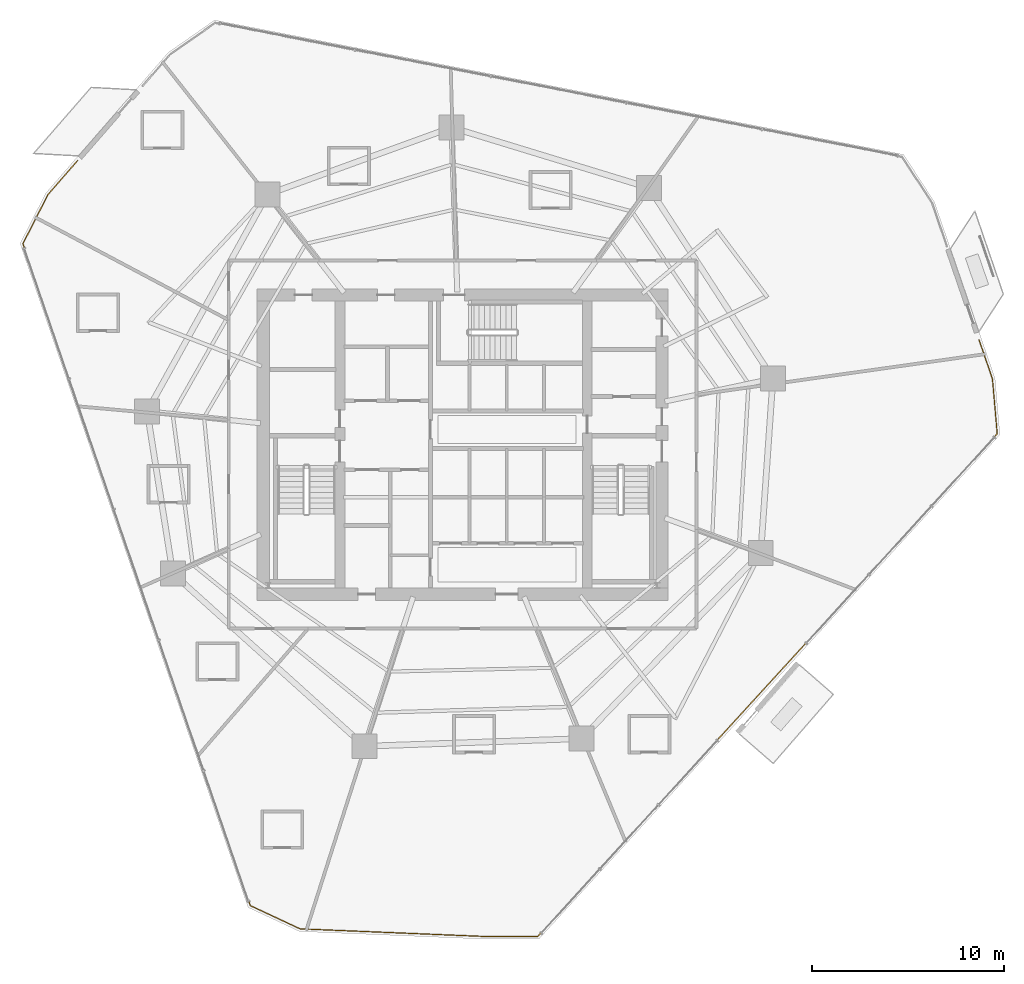
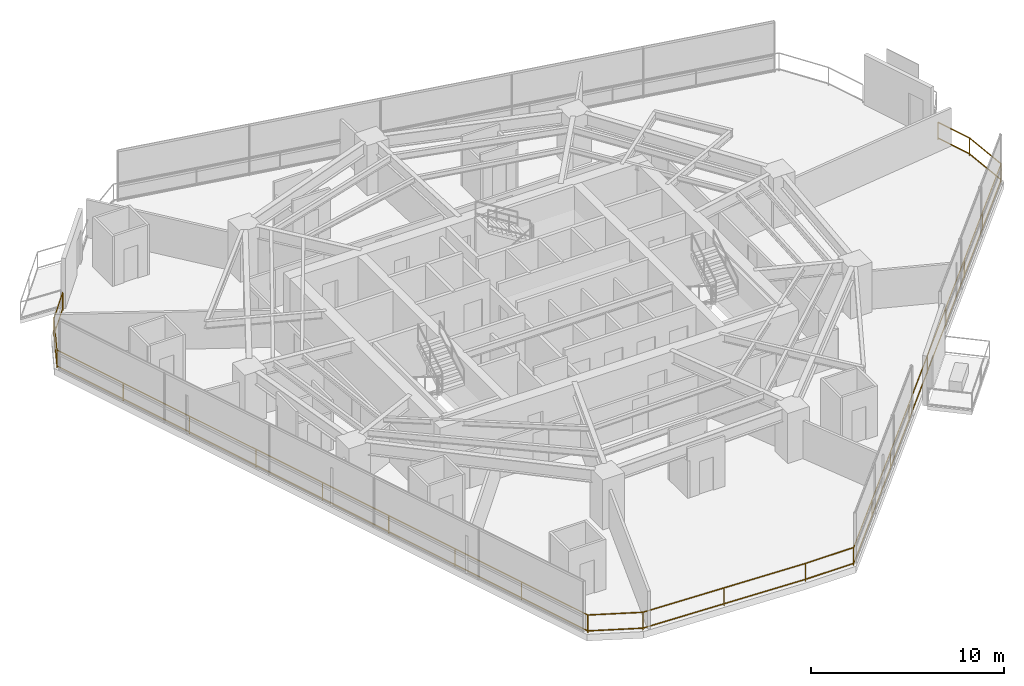
# One storey, part 31 of 33: 1 railing.
"""IFC4 building model written with IfcOpenShell, lengths in metres."""

from ifc_helpers import new_model, si_unit, direction, frame, origin, origin_2d, place, context, subcontext, project, spatial, rectangle, extrude, material, type_object, element, save


model = new_model("IFC4")

# Units and contexts
model_context = context("Model", 3, precision=1e-05, world=origin(), true_north=direction((0.0, 1.0)))
body_context = subcontext(model_context, "Body", "Model", "MODEL_VIEW")
ifc_project = project(units=[si_unit("LENGTHUNIT", "METRE"), si_unit("AREAUNIT", "SQUARE_METRE"), si_unit("VOLUMEUNIT", "CUBIC_METRE"), si_unit("PLANEANGLEUNIT", "RADIAN"), si_unit("MASSUNIT", "GRAM", prefix="KILO")], contexts=[model_context])

# Site, building, storey
site_placement = place(None, origin())
site = spatial("IfcSite", under=ifc_project, at=site_placement, CompositionType="ELEMENT")
building_placement = place(site_placement, origin())
building = spatial("IfcBuilding", under=site, at=building_placement, Name="Qarnah Convention Tower", CompositionType="ELEMENT")
storey_placement = place(building_placement, frame((0.0, 0.0, 27.0)))
storey = spatial("IfcBuildingStorey", under=building, at=storey_placement, Name="L05", CompositionType="ELEMENT", Elevation=27.0)

# Railing
ifc_material = material(Name="Black anodised aluminium", Category="aluminium")
railing_type = type_object("IfcRailingType", Name="RL-EXT-GUARD-1150", PredefinedType="GUARDRAIL", material=ifc_material)
railing_placement = place(storey_placement, frame((64.135986328125, 31.868896484375, 0.0)))
element("IfcRailing", 1, at=railing_placement, inside=storey, type_object=railing_type, Name="L05 slab-edge perimeter safety guard 02", PredefinedType="GUARDRAIL", context=body_context, shape_type="SweptSolid", body=[
    extrude(rectangle(XDim=0.048095703125, YDim=0.048095703125, at=origin_2d()), frame((0.0, 0.0, 1.1259765625), z_axis=(0.325155495095, -0.945660564901, 0.0), x_axis=(0.945660564901, 0.325155495095, 0.0)), (0.0, 0.0, 1.0), 2.162353515625),
    extrude(rectangle(XDim=0.048095703125, YDim=0.048095703125, at=origin_2d()), frame((0.0, 0.0, 0.1201171875), z_axis=(0.325155495095, -0.945660564901, 0.0), x_axis=(0.945660564901, 0.325155495095, 0.0)), (0.0, 0.0, 1.0), 2.162353515625),
    extrude(rectangle(XDim=0.048095703125, YDim=0.048095703125, at=origin_2d()), frame((0.703125, -2.044921875, 1.1259765625), z_axis=(0.086508722969, -0.996251093274, 0.0), x_axis=(0.996251093274, 0.086508722969, 0.0)), (0.0, 0.0, 1.0), 2.875732421875),
    extrude(rectangle(XDim=0.048095703125, YDim=0.048095703125, at=origin_2d()), frame((0.703125, -2.044921875, 0.1201171875), z_axis=(0.086508722969, -0.996251093274, 0.0), x_axis=(0.996251093274, 0.086508722969, 0.0)), (0.0, 0.0, 1.0), 2.875732421875),
    extrude(rectangle(XDim=0.048095703125, YDim=0.048095703125, at=origin_2d()), frame((0.951904296875, -4.909912109375, 1.1259765625), z_axis=(-0.674694752881, -0.738096870631, 0.0), x_axis=(0.738096870631, -0.674694752881, 0.0)), (0.0, 0.0, 1.0), 35.5224609375),
    extrude(rectangle(XDim=0.048095703125, YDim=0.048095703125, at=origin_2d()), frame((0.951904296875, -4.909912109375, 0.1201171875), z_axis=(-0.674694752881, -0.738096870631, 0.0), x_axis=(0.738096870631, -0.674694752881, 0.0)), (0.0, 0.0, 1.0), 35.5224609375),
    extrude(rectangle(XDim=0.048095703125, YDim=0.048095703125, at=origin_2d()), frame((-23.014892578125, -31.12890625, 1.1259765625), z_axis=(-1.0, 0.0, 0.0), x_axis=(0.0, -1.0, 0.0)), (0.0, 0.0, 1.0), 2.885009765625),
    extrude(rectangle(XDim=0.048095703125, YDim=0.048095703125, at=origin_2d()), frame((-23.014892578125, -31.12890625, 0.1201171875), z_axis=(-1.0, 0.0, 0.0), x_axis=(0.0, -1.0, 0.0)), (0.0, 0.0, 1.0), 2.885009765625),
    extrude(rectangle(XDim=0.048095703125, YDim=0.048095703125, at=origin_2d()), frame((-25.89990234375, -31.12890625, 1.1259765625), z_axis=(-0.999148373164, 0.041261706274, 0.0), x_axis=(-0.041261706274, -0.999148373164, 0.0)), (0.0, 0.0, 1.0), 9.526123046875),
    extrude(rectangle(XDim=0.048095703125, YDim=0.048095703125, at=origin_2d()), frame((-25.89990234375, -31.12890625, 0.1201171875), z_axis=(-0.999148373164, 0.041261706274, 0.0), x_axis=(-0.041261706274, -0.999148373164, 0.0)), (0.0, 0.0, 1.0), 9.526123046875),
    extrude(rectangle(XDim=0.048095703125, YDim=0.048095703125, at=origin_2d()), frame((-35.41796875, -30.73583984375, 1.1259765625), z_axis=(-0.9060503527, 0.423169893035, 0.0), x_axis=(-0.423169893035, -0.9060503527, 0.0)), (0.0, 0.0, 1.0), 2.8662109375),
    extrude(rectangle(XDim=0.048095703125, YDim=0.048095703125, at=origin_2d()), frame((-35.41796875, -30.73583984375, 0.1201171875), z_axis=(-0.9060503527, 0.423169893035, 0.0), x_axis=(-0.423169893035, -0.9060503527, 0.0)), (0.0, 0.0, 1.0), 2.8662109375),
    extrude(rectangle(XDim=0.048095703125, YDim=0.048095703125, at=origin_2d()), frame((-38.014892578125, -29.52294921875, 1.1259765625), z_axis=(-0.324885207334, 0.945753457332, 0.0), x_axis=(-0.945753457332, -0.324885207334, 0.0)), (0.0, 0.0, 1.0), 36.508544921875),
    extrude(rectangle(XDim=0.048095703125, YDim=0.048095703125, at=origin_2d()), frame((-38.014892578125, -29.52294921875, 0.1201171875), z_axis=(-0.324885207334, 0.945753457332, 0.0), x_axis=(-0.945753457332, -0.324885207334, 0.0)), (0.0, 0.0, 1.0), 36.508544921875),
    extrude(rectangle(XDim=0.048095703125, YDim=0.048095703125, at=origin_2d()), frame((-49.8759765625, 5.005126953125, 1.1259765625), z_axis=(0.45426008391, 0.890869112814, 0.0), x_axis=(-0.890869112814, 0.45426008391, 0.0)), (0.0, 0.0, 1.0), 2.876953125),
    extrude(rectangle(XDim=0.048095703125, YDim=0.048095703125, at=origin_2d()), frame((-49.8759765625, 5.005126953125, 0.1201171875), z_axis=(0.45426008391, 0.890869112814, 0.0), x_axis=(-0.890869112814, 0.45426008391, 0.0)), (0.0, 0.0, 1.0), 2.876953125),
    extrude(rectangle(XDim=0.048095703125, YDim=0.048095703125, at=origin_2d()), frame((-48.569091796875, 7.568115234375, 1.1259765625), z_axis=(0.656550492551, 0.754282076369, 0.0), x_axis=(-0.754282076369, 0.656550492551, 0.0)), (0.0, 0.0, 1.0), 2.373291015625),
    extrude(rectangle(XDim=0.048095703125, YDim=0.048095703125, at=origin_2d()), frame((-48.569091796875, 7.568115234375, 0.1201171875), z_axis=(0.656550492551, 0.754282076369, 0.0), x_axis=(-0.754282076369, 0.656550492551, 0.0)), (0.0, 0.0, 1.0), 2.373291015625),
    extrude(rectangle(XDim=0.0419921875, YDim=0.0419921875, at=origin_2d()), origin(), (0.0, 0.0, 1.0), 1.101806640625),
    extrude(rectangle(XDim=0.0419921875, YDim=0.0419921875, at=origin_2d()), frame((0.703125, -2.044921875, 0.0)), (0.0, 0.0, 1.0), 1.101806640625),
    extrude(rectangle(XDim=0.0419921875, YDim=0.0419921875, at=origin_2d()), frame((0.951904296875, -4.909912109375, 0.0)), (0.0, 0.0, 1.0), 1.101806640625),
    extrude(rectangle(XDim=0.0419921875, YDim=0.0419921875, at=origin_2d()), frame((-2.0439453125, -8.187255859375, 0.0)), (0.0, 0.0, 1.0), 1.101806640625),
    extrude(rectangle(XDim=0.0419921875, YDim=0.0419921875, at=origin_2d()), frame((-5.039794921875, -11.464599609375, 0.0)), (0.0, 0.0, 1.0), 1.101806640625),
    extrude(rectangle(XDim=0.0419921875, YDim=0.0419921875, at=origin_2d()), frame((-8.03564453125, -14.741943359375, 0.0)), (0.0, 0.0, 1.0), 1.101806640625),
    extrude(rectangle(XDim=0.0419921875, YDim=0.0419921875, at=origin_2d()), frame((-11.031494140625, -18.01953125, 0.0)), (0.0, 0.0, 1.0), 1.101806640625),
    extrude(rectangle(XDim=0.0419921875, YDim=0.0419921875, at=origin_2d()), frame((-14.02734375, -21.296875, 0.0)), (0.0, 0.0, 1.0), 1.101806640625),
    extrude(rectangle(XDim=0.0419921875, YDim=0.0419921875, at=origin_2d()), frame((-17.023193359375, -24.57421875, 0.0)), (0.0, 0.0, 1.0), 1.101806640625),
    extrude(rectangle(XDim=0.0419921875, YDim=0.0419921875, at=origin_2d()), frame((-20.01904296875, -27.8515625, 0.0)), (0.0, 0.0, 1.0), 1.101806640625),
    extrude(rectangle(XDim=0.0419921875, YDim=0.0419921875, at=origin_2d()), frame((-23.014892578125, -31.12890625, 0.0)), (0.0, 0.0, 1.0), 1.101806640625),
    extrude(rectangle(XDim=0.0419921875, YDim=0.0419921875, at=origin_2d()), frame((-25.89990234375, -31.12890625, 0.0)), (0.0, 0.0, 1.0), 1.101806640625),
    extrude(rectangle(XDim=0.0419921875, YDim=0.0419921875, at=origin_2d()), frame((-30.658935546875, -30.932373046875, 0.0)), (0.0, 0.0, 1.0), 1.101806640625),
    extrude(rectangle(XDim=0.0419921875, YDim=0.0419921875, at=origin_2d()), frame((-35.41796875, -30.73583984375, 0.0)), (0.0, 0.0, 1.0), 1.101806640625),
    extrude(rectangle(XDim=0.0419921875, YDim=0.0419921875, at=origin_2d()), frame((-38.014892578125, -29.52294921875, 0.0)), (0.0, 0.0, 1.0), 1.101806640625),
    extrude(rectangle(XDim=0.0419921875, YDim=0.0419921875, at=origin_2d()), frame((-39.49755859375, -25.20703125, 0.0)), (0.0, 0.0, 1.0), 1.101806640625),
    extrude(rectangle(XDim=0.0419921875, YDim=0.0419921875, at=origin_2d()), frame((-40.980224609375, -20.890869140625, 0.0)), (0.0, 0.0, 1.0), 1.101806640625),
    extrude(rectangle(XDim=0.0419921875, YDim=0.0419921875, at=origin_2d()), frame((-42.462890625, -16.574951171875, 0.0)), (0.0, 0.0, 1.0), 1.101806640625),
    extrude(rectangle(XDim=0.0419921875, YDim=0.0419921875, at=origin_2d()), frame((-43.9453125, -12.2587890625, 0.0)), (0.0, 0.0, 1.0), 1.101806640625),
    extrude(rectangle(XDim=0.0419921875, YDim=0.0419921875, at=origin_2d()), frame((-45.427978515625, -7.94287109375, 0.0)), (0.0, 0.0, 1.0), 1.101806640625),
    extrude(rectangle(XDim=0.0419921875, YDim=0.0419921875, at=origin_2d()), frame((-46.91064453125, -3.626953125, 0.0)), (0.0, 0.0, 1.0), 1.101806640625),
    extrude(rectangle(XDim=0.0419921875, YDim=0.0419921875, at=origin_2d()), frame((-48.393310546875, 0.689208984375, 0.0)), (0.0, 0.0, 1.0), 1.101806640625),
    extrude(rectangle(XDim=0.0419921875, YDim=0.0419921875, at=origin_2d()), frame((-49.8759765625, 5.005126953125, 0.0)), (0.0, 0.0, 1.0), 1.101806640625),
    extrude(rectangle(XDim=0.0419921875, YDim=0.0419921875, at=origin_2d()), frame((-48.569091796875, 7.568115234375, 0.0)), (0.0, 0.0, 1.0), 1.101806640625),
    extrude(rectangle(XDim=0.0419921875, YDim=0.0419921875, at=origin_2d()), frame((-47.010986328125, 9.358154296875, 0.0)), (0.0, 0.0, 1.0), 1.101806640625),
])

save(model, "model.ifc")
